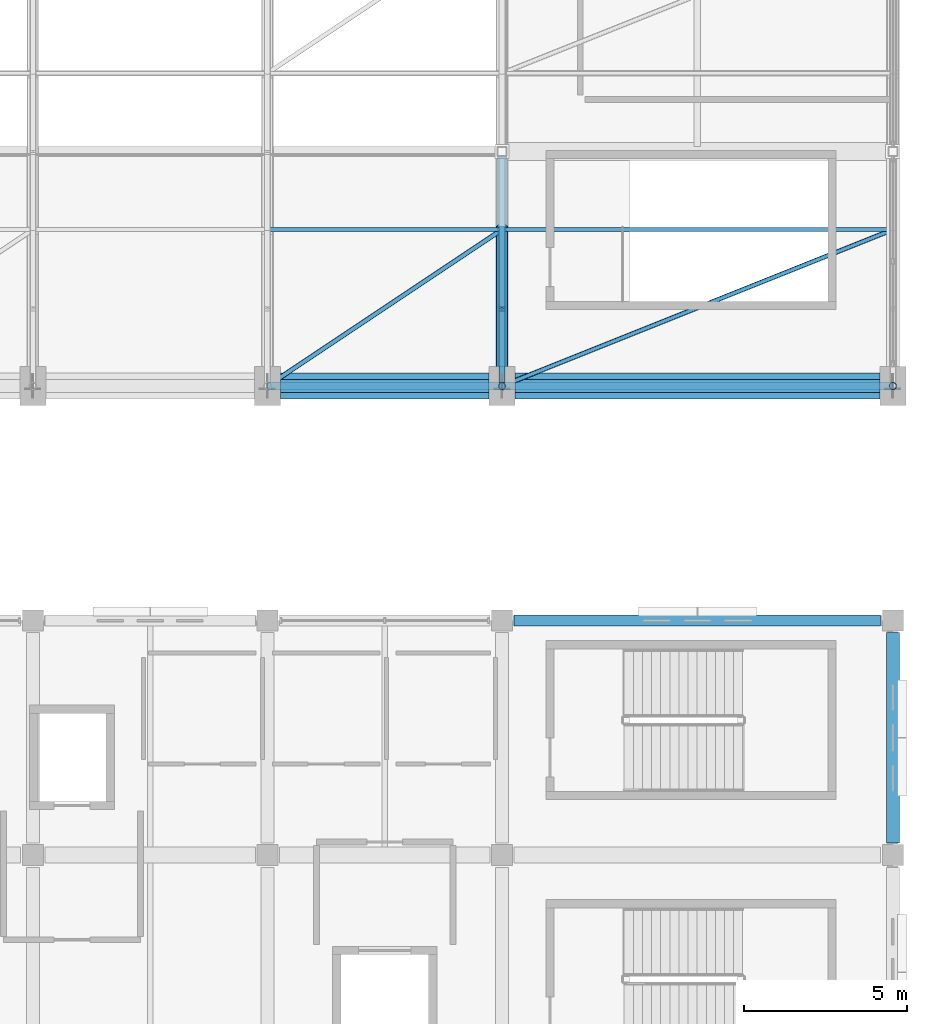
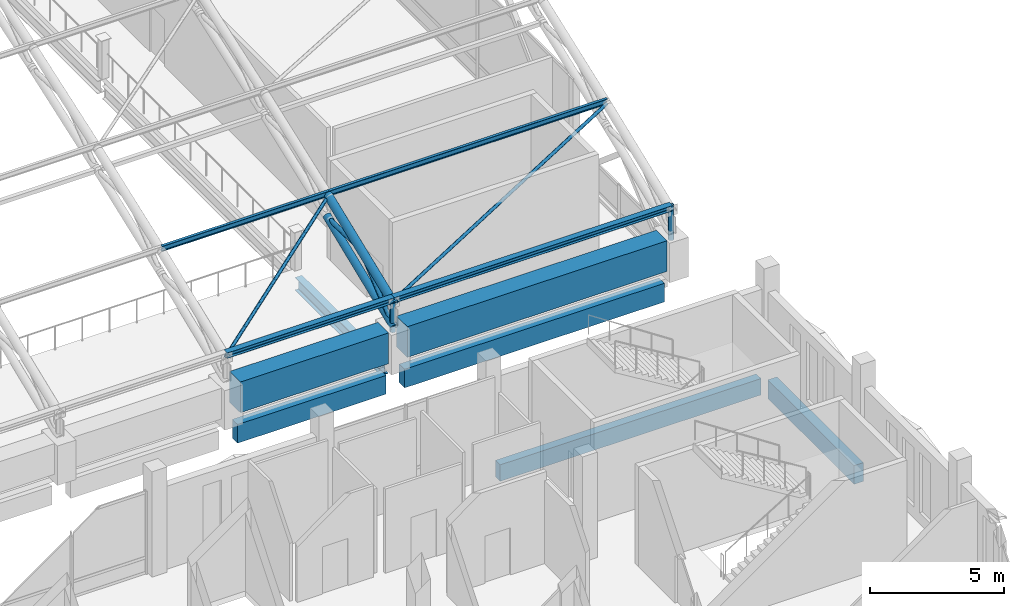
# One storey, part 39 of 116: 12 members, 7 beams.
"""IFC4 building model written with IfcOpenShell, lengths in metres."""

from ifc_helpers import new_model, si_unit, direction, frame, origin, origin_2d, place, context, subcontext, project, spatial, rectangle, hollow_circle, i_section, extrude, material, material_profile, profile_set, type_object, element, save


model = new_model("IFC4")

# Units and contexts
model_context = context("Model", 3, precision=1e-05, world=origin(), true_north=direction((0.0, 1.0)))
body_context = subcontext(model_context, "Body", "Model", "MODEL_VIEW")
ifc_project = project(units=[si_unit("LENGTHUNIT", "METRE"), si_unit("AREAUNIT", "SQUARE_METRE"), si_unit("VOLUMEUNIT", "CUBIC_METRE"), si_unit("PLANEANGLEUNIT", "RADIAN"), si_unit("MASSUNIT", "GRAM", prefix="KILO")], contexts=[model_context])

# Site, building, storey
site_placement = place(None, origin())
site = spatial("IfcSite", under=ifc_project, at=site_placement, CompositionType="ELEMENT")
building_placement = place(site_placement, origin())
building = spatial("IfcBuilding", under=site, at=building_placement, Name="Cendralis Lancet Convention Centre", CompositionType="ELEMENT")
storey_placement = place(building_placement, frame((0.0, 0.0, 15.0)))
storey = spatial("IfcBuildingStorey", under=building, at=storey_placement, Name="L03", CompositionType="ELEMENT", Elevation=15.0)

# Beams
ifc_material_1 = material(Name="Concrete G40 (C40/50)", Category="concrete")
ifc_material_profile_1 = material_profile(ifc_material_1, rectangle(XDim=0.800048828125, YDim=1.39990234375, at=origin_2d()), Name="RCB 800x1400")
ifc_profile_set_1 = profile_set([ifc_material_profile_1], Name="Concrete G40 (C40/50)")
beam_type_1 = type_object("IfcBeamType", Name="STR-BM-BG17", PredefinedType="BEAM", material=ifc_profile_set_1)
beam_1_placement = place(storey_placement, frame((190.0, 43.199951171875, 1.10009765625), z_axis=(1.0, 0.0, 0.0), x_axis=(0.0, 1.0, 0.0)))
element("IfcBeam", 1, at=beam_1_placement, inside=storey, type_object=beam_type_1, Name="L03 Beam BG17 #1566", PredefinedType="BEAM", context=body_context, shape_type="SweptSolid", body=[
    extrude(rectangle(XDim=0.800048828125, YDim=1.39990234375, at=origin_2d()), origin(), (0.0, 0.0, 1.0), 6.39990234375),
])
beam_2_placement = place(storey_placement, frame((197.199951171875, 43.199951171875, 1.10009765625), z_axis=(1.0, 0.0, 0.0), x_axis=(0.0, 1.0, 0.0)))
element("IfcBeam", 2, at=beam_2_placement, inside=storey, type_object=beam_type_1, Name="L03 Beam BG17 #1567", PredefinedType="BEAM", context=body_context, shape_type="SweptSolid", body=[
    extrude(rectangle(XDim=0.800048828125, YDim=1.39990234375, at=origin_2d()), origin(), (0.0, 0.0, 1.0), 11.199951171875),
])
ifc_material_2 = material(Name="Steel S355", Category="steel")
ifc_material_profile_2 = material_profile(ifc_material_2, i_section(OverallWidth=0.300048828125, OverallDepth=0.590087890625, WebThickness=0.012939453125, FlangeThickness=0.02490234375, FilletRadius=0.027099609375, at=origin_2d()), Name="HEA 600")
ifc_profile_set_2 = profile_set([ifc_material_profile_2], Name="Steel S355")
beam_type_2 = type_object("IfcBeamType", Name="STR-BM-SG10", PredefinedType="BEAM", material=ifc_profile_set_2)
beam_3_placement = place(storey_placement, frame((196.800048828125, 43.800048828125, -0.554931640625), z_axis=(0.0, 1.0, 0.0), x_axis=(-1.0, 0.0, 0.0)))
element("IfcBeam", 3, at=beam_3_placement, inside=storey, type_object=beam_type_2, Name="L03 Beam SG10 #1542", PredefinedType="BEAM", context=body_context, shape_type="SweptSolid", body=[
    extrude(i_section(OverallWidth=0.300048828125, OverallDepth=0.590087890625, WebThickness=0.012939453125, FlangeThickness=0.02490234375, FilletRadius=0.027099609375, at=origin_2d()), origin(), (0.0, 0.0, 1.0), 6.425048828125),
])

# Members
ifc_material_profile_3 = material_profile(ifc_material_2, hollow_circle(Radius=0.06982421875, WallThickness=0.00634765625, at=origin_2d()), Name="CHS 139.7x6.3")
ifc_profile_set_3 = profile_set([ifc_material_profile_3], Name="Steel S355")
member_type_1 = type_object("IfcMemberType", Name="STR-BR-RB02", PredefinedType="BRACE", material=ifc_profile_set_3)
member_1_placement = place(storey_placement, frame((189.60009765625, 43.199951171875, 2.85009765625), z_axis=(0.812601866984, 0.541743762733, 0.214923012528), x_axis=(-0.554706707029, 0.832045953765, 0.0)))
element("IfcMember", 4, at=member_1_placement, inside=storey, type_object=member_type_1, Name="Roof Diaphragm Brace RB02 V2-07-00A", PredefinedType="BRACE", context=body_context, shape_type="SweptSolid", body=[
    extrude(hollow_circle(Radius=0.06982421875, WallThickness=0.00634765625, at=origin_2d()), origin(), (0.0, 0.0, 1.0), 8.8603515625),
])
member_2_placement = place(storey_placement, frame((196.800048828125, 43.199951171875, 2.85009765625), z_axis=(0.918558253449, 0.367427039003, 0.145767300962), x_axis=(-0.371393933228, 0.928475388129, 0.0)))
element("IfcMember", 5, at=member_2_placement, inside=storey, type_object=member_type_1, Name="Roof Diaphragm Brace RB02 V2-08-00A", PredefinedType="BRACE", context=body_context, shape_type="SweptSolid", body=[
    extrude(hollow_circle(Radius=0.06982421875, WallThickness=0.00634765625, at=origin_2d()), origin(), (0.0, 0.0, 1.0), 13.06396484375),
])
ifc_material_profile_4 = material_profile(ifc_material_2, i_section(OverallWidth=0.1201171875, OverallDepth=0.239990234375, WebThickness=0.006103515625, FlangeThickness=0.009765625, FilletRadius=0.014892578125, at=origin_2d()), Name="IPE 240")
ifc_profile_set_4 = profile_set([ifc_material_profile_4], Name="Steel S355")
member_type_2 = type_object("IfcMemberType", Name="STR-PR-PR02", PredefinedType="PURLIN", material=ifc_profile_set_4)
member_3_placement = place(storey_placement, frame((189.60009765625, 48.0, 4.884521484375), z_axis=(1.0, 0.0, 0.0), x_axis=(0.0, 1.0, 0.0)))
element("IfcMember", 6, at=member_3_placement, inside=storey, type_object=member_type_2, Name="Vault Roof Purlin PR02 V2-07-01", PredefinedType="PURLIN", context=body_context, shape_type="SweptSolid", body=[
    extrude(i_section(OverallWidth=0.1201171875, OverallDepth=0.239990234375, WebThickness=0.006103515625, FlangeThickness=0.009765625, FilletRadius=0.014892578125, at=origin_2d()), origin(), (0.0, 0.0, 1.0), 7.199951171875),
])
member_4_placement = place(storey_placement, frame((196.800048828125, 48.0, 4.884521484375), z_axis=(1.0, 0.0, 0.0), x_axis=(0.0, 1.0, 0.0)))
element("IfcMember", 7, at=member_4_placement, inside=storey, type_object=member_type_2, Name="Vault Roof Purlin PR02 V2-08-01", PredefinedType="PURLIN", context=body_context, shape_type="SweptSolid", body=[
    extrude(i_section(OverallWidth=0.1201171875, OverallDepth=0.239990234375, WebThickness=0.006103515625, FlangeThickness=0.009765625, FilletRadius=0.014892578125, at=origin_2d()), origin(), (0.0, 0.0, 1.0), 12.0),
])
ifc_material_profile_5 = material_profile(ifc_material_2, i_section(OverallWidth=0.260009765625, OverallDepth=0.25, WebThickness=0.007568359375, FlangeThickness=0.012451171875, FilletRadius=0.02392578125, at=origin_2d()), Name="HEA 260")
ifc_profile_set_5 = profile_set([ifc_material_profile_5], Name="Steel S355")
member_type_3 = type_object("IfcMemberType", Name="STR-PR-PR07", PredefinedType="PURLIN", material=ifc_profile_set_5)
member_5_placement = place(storey_placement, frame((189.60009765625, 43.199951171875, 2.97509765625), z_axis=(1.0, 0.0, 0.0), x_axis=(0.0, 1.0, 0.0)))
element("IfcMember", 8, at=member_5_placement, inside=storey, type_object=member_type_3, Name="Vault Roof Purlin PR07 V2-07-00", PredefinedType="PURLIN", context=body_context, shape_type="SweptSolid", body=[
    extrude(i_section(OverallWidth=0.260009765625, OverallDepth=0.25, WebThickness=0.007568359375, FlangeThickness=0.012451171875, FilletRadius=0.02392578125, at=origin_2d()), origin(), (0.0, 0.0, 1.0), 7.199951171875),
])
member_6_placement = place(storey_placement, frame((196.800048828125, 43.199951171875, 2.97509765625), z_axis=(1.0, 0.0, 0.0), x_axis=(0.0, 1.0, 0.0)))
element("IfcMember", 9, at=member_6_placement, inside=storey, type_object=member_type_3, Name="Vault Roof Purlin PR07 V2-08-00", PredefinedType="PURLIN", context=body_context, shape_type="SweptSolid", body=[
    extrude(i_section(OverallWidth=0.260009765625, OverallDepth=0.25, WebThickness=0.007568359375, FlangeThickness=0.012451171875, FilletRadius=0.02392578125, at=origin_2d()), origin(), (0.0, 0.0, 1.0), 12.0),
])

# Beams
ifc_material_profile_6 = material_profile(ifc_material_1, rectangle(XDim=0.35009765625, YDim=0.75, at=origin_2d()), Name="RCB 350x750")
ifc_profile_set_6 = profile_set([ifc_material_profile_6], Name="Concrete G40 (C40/50)")
beam_type_3 = type_object("IfcBeamType", Name="STR-SP-SP01", PredefinedType="SPANDREL", material=ifc_profile_set_6)
beam_4_placement = place(storey_placement, frame((197.175048828125, 36.0, -0.635009765625), z_axis=(1.0, 0.0, 0.0), x_axis=(0.0, 1.0, 0.0)))
element("IfcBeam", 10, at=beam_4_placement, inside=storey, type_object=beam_type_3, Name="L03 Beam SP01 #0428", PredefinedType="SPANDREL", context=body_context, shape_type="SweptSolid", body=[
    extrude(rectangle(XDim=0.35009765625, YDim=0.75, at=origin_2d()), origin(), (0.0, 0.0, 1.0), 11.25),
])
ifc_material_profile_7 = material_profile(ifc_material_1, rectangle(XDim=0.39990234375, YDim=0.85009765625, at=origin_2d()), Name="RCB 400x850")
ifc_profile_set_7 = profile_set([ifc_material_profile_7], Name="Concrete G40 (C40/50)")
beam_type_4 = type_object("IfcBeamType", Name="STR-SP-SP02", PredefinedType="SPANDREL", material=ifc_profile_set_7)
beam_5_placement = place(storey_placement, frame((208.800048828125, 29.175048828125, -0.68505859375), z_axis=(0.0, 1.0, 0.0), x_axis=(-1.0, 0.0, 0.0)))
element("IfcBeam", 11, at=beam_5_placement, inside=storey, type_object=beam_type_4, Name="L03 Beam SP02 #0470", PredefinedType="SPANDREL", context=body_context, shape_type="SweptSolid", body=[
    extrude(rectangle(XDim=0.39990234375, YDim=0.85009765625, at=origin_2d()), origin(), (0.0, 0.0, 1.0), 6.449951171875),
])
beam_6_placement = place(storey_placement, frame((190.0, 43.199951171875, -0.68505859375), z_axis=(1.0, 0.0, 0.0), x_axis=(0.0, 1.0, 0.0)))
element("IfcBeam", 12, at=beam_6_placement, inside=storey, type_object=beam_type_4, Name="L03 Beam SP02 #1511", PredefinedType="SPANDREL", context=body_context, shape_type="SweptSolid", body=[
    extrude(rectangle(XDim=0.39990234375, YDim=0.85009765625, at=origin_2d()), origin(), (0.0, 0.0, 1.0), 6.39990234375),
])
beam_7_placement = place(storey_placement, frame((197.199951171875, 43.199951171875, -0.68505859375), z_axis=(1.0, 0.0, 0.0), x_axis=(0.0, 1.0, 0.0)))
element("IfcBeam", 13, at=beam_7_placement, inside=storey, type_object=beam_type_4, Name="L03 Beam SP02 #1512", PredefinedType="SPANDREL", context=body_context, shape_type="SweptSolid", body=[
    extrude(rectangle(XDim=0.39990234375, YDim=0.85009765625, at=origin_2d()), origin(), (0.0, 0.0, 1.0), 11.199951171875),
])

# Members
ifc_material_profile_8 = material_profile(ifc_material_2, hollow_circle(Radius=0.161865234375, WallThickness=0.01416015625, at=origin_2d()), Name="CHS 323.9x14.2")
ifc_profile_set_8 = profile_set([ifc_material_profile_8], Name="Steel S355")
member_type_4 = type_object("IfcMemberType", Name="STR-TR-BC02-INT", PredefinedType="CHORD", material=ifc_profile_set_8)
member_7_placement = place(storey_placement, frame((196.800048828125, 43.088623046875, 1.755126953125), z_axis=(0.0, 0.927278249077, 0.374372874002), x_axis=(-1.0, 0.0, 0.0)))
element("IfcMember", 14, at=member_7_placement, inside=storey, type_object=member_type_4, Name="ROOF TRUSS AT-V2-09 Bottom Chord 00", PredefinedType="CHORD", context=body_context, shape_type="SweptSolid", body=[
    extrude(hollow_circle(Radius=0.161865234375, WallThickness=0.01416015625, at=origin_2d()), origin(), (0.0, 0.0, 1.0), 5.41650390625),
])
ifc_material_profile_9 = material_profile(ifc_material_2, hollow_circle(Radius=0.177734375, WallThickness=0.01611328125, at=origin_2d()), Name="CHS 355.6x16.0")
ifc_profile_set_9 = profile_set([ifc_material_profile_9], Name="Steel S355")
member_type_5 = type_object("IfcMemberType", Name="STR-TR-TC02-INT", PredefinedType="CHORD", material=ifc_profile_set_9)
member_8_placement = place(storey_placement, frame((196.800048828125, 43.08837890625, 2.8056640625), z_axis=(0.0, 0.929501282069, 0.368818880525), x_axis=(-1.0, 0.0, 0.0)))
element("IfcMember", 15, at=member_8_placement, inside=storey, type_object=member_type_5, Name="ROOF TRUSS AT-V2-09 Top Chord 00", PredefinedType="CHORD", context=body_context, shape_type="SweptSolid", body=[
    extrude(hollow_circle(Radius=0.177734375, WallThickness=0.01611328125, at=origin_2d()), origin(), (0.0, 0.0, 1.0), 5.404296875),
])
ifc_material_profile_10 = material_profile(ifc_material_2, hollow_circle(Radius=0.096923828125, WallThickness=0.008056640625, at=origin_2d()), Name="CHS 193.7x8.0")
ifc_profile_set_10 = profile_set([ifc_material_profile_10], Name="Steel S355")
member_type_6 = type_object("IfcMemberType", Name="STR-TR-WD02-INT", PredefinedType="BRACE", material=ifc_profile_set_10)
member_9_placement = place(storey_placement, frame((196.800048828125, 43.123291015625, 1.73583984375), z_axis=(0.0, 0.767817962022, 0.640668070998), x_axis=(-1.0, 0.0, 0.0)))
element("IfcMember", 16, at=member_9_placement, inside=storey, type_object=member_type_6, Name="ROOF TRUSS AT-V2-09 Warren Web 00-0", PredefinedType="BRACE", context=body_context, shape_type="SweptSolid", body=[
    extrude(hollow_circle(Radius=0.096923828125, WallThickness=0.008056640625, at=origin_2d()), origin(), (0.0, 0.0, 1.0), 3.32568359375),
])
member_10_placement = place(storey_placement, frame((196.800048828125, 45.5, 3.804931640625), z_axis=(0.0, 0.999642128324, -0.026750986533), x_axis=(-1.0, 0.0, 0.0)))
element("IfcMember", 17, at=member_10_placement, inside=storey, type_object=member_type_6, Name="ROOF TRUSS AT-V2-09 Warren Web 00-1", PredefinedType="BRACE", context=body_context, shape_type="SweptSolid", body=[
    extrude(hollow_circle(Radius=0.096923828125, WallThickness=0.008056640625, at=origin_2d()), origin(), (0.0, 0.0, 1.0), 2.60107421875),
])
ifc_material_profile_11 = material_profile(ifc_material_2, hollow_circle(Radius=0.109619140625, WallThickness=0.010009765625, at=origin_2d()), Name="CHS 219.1x10.0")
ifc_profile_set_11 = profile_set([ifc_material_profile_11], Name="Steel S355")
member_type_7 = type_object("IfcMemberType", Name="STR-TR-WV02", PredefinedType="POST", material=ifc_profile_set_11)
member_11_placement = place(storey_placement, frame((208.800048828125, 43.199951171875, 1.5), z_axis=(0.0, 0.0, 1.0), x_axis=(1.0, 0.0, 0.0)))
element("IfcMember", 18, at=member_11_placement, inside=storey, type_object=member_type_7, Name="ROOF TRUSS AT-V2-10 Springing Post N00", PredefinedType="POST", context=body_context, shape_type="SweptSolid", body=[
    extrude(hollow_circle(Radius=0.109619140625, WallThickness=0.010009765625, at=origin_2d()), origin(), (0.0, 0.0, 1.0), 1.570068359375),
])
ifc_material_profile_12 = material_profile(ifc_material_2, hollow_circle(Radius=0.109619140625, WallThickness=0.010009765625, at=origin_2d()), Name="CHS 219.1x10.0")
ifc_profile_set_12 = profile_set([ifc_material_profile_12], Name="Steel S355")
member_type_8 = type_object("IfcMemberType", Name="STR-TR-WV02-INT", PredefinedType="POST", material=ifc_profile_set_12)
member_12_placement = place(storey_placement, frame((196.800048828125, 43.199951171875, 1.5), z_axis=(0.0, 0.0, 1.0), x_axis=(1.0, 0.0, 0.0)))
element("IfcMember", 19, at=member_12_placement, inside=storey, type_object=member_type_8, Name="ROOF TRUSS AT-V2-09 Springing Post N00", PredefinedType="POST", context=body_context, shape_type="SweptSolid", body=[
    extrude(hollow_circle(Radius=0.109619140625, WallThickness=0.010009765625, at=origin_2d()), origin(), (0.0, 0.0, 1.0), 1.570068359375),
])

save(model, "model.ifc")
